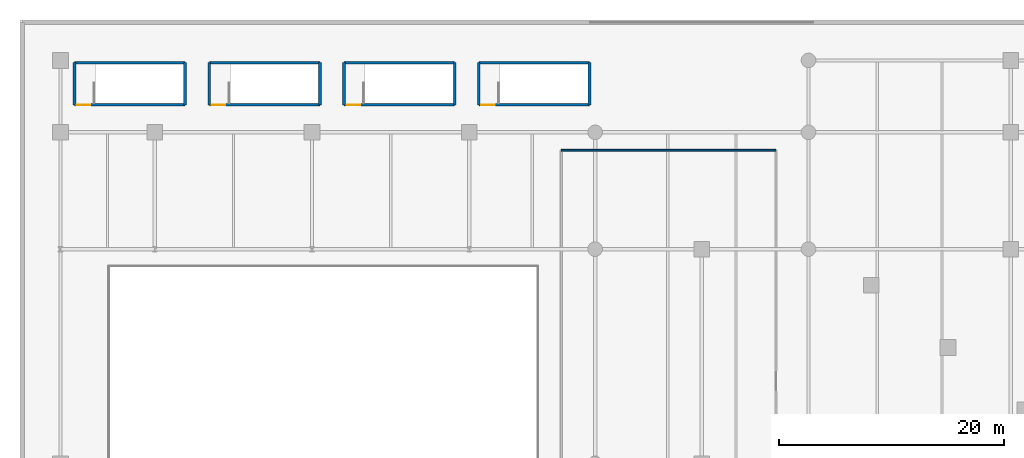
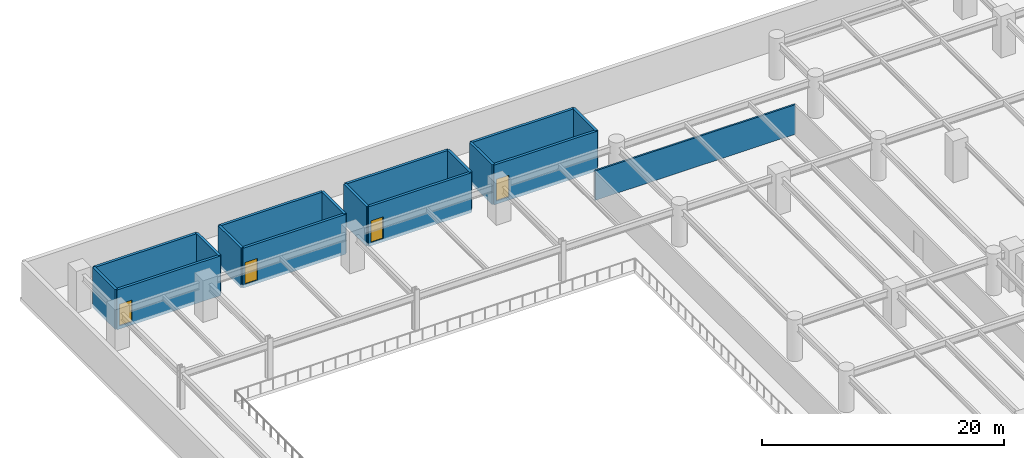
# One storey, part 13 of 20: 17 walls, 4 doors, 4 openings.
"""IFC4 building model written with IfcOpenShell, lengths in metres."""

import ifcopenshell
import ifcopenshell.guid

model = None  # the IFC model being written
_history = None  # IfcOwnerHistory: only IFC2X3 demands one
_inside = {}  # id of a spatial element -> (the spatial element, [elements in it])
_under = {}  # id of a project, library or spatial element -> (it, [spatial elements below it])
_declared = {}  # id of a project -> (the project, [libraries it declares])
_typed = {}  # id of a type object -> (the type object, [elements of that type])
_made_of = {}  # id of a material, layer set ... -> (it, [elements and type objects made of it])


def new_model(schema):
    """Start an empty IFC model of exactly this schema.

    Asked for "IFC4X3", IfcOpenShell would pick the latest addendum, in which some entities
    have other attributes; the version numbers below select the first issue.
    IFC2X3 requires an IfcOwnerHistory on every rooted entity: one is made here for all.
    """
    global model, _history
    if schema == "IFC4X3":
        model = ifcopenshell.file(schema_version=(4, 3, 0, 0))
    else:
        model = ifcopenshell.file(schema=schema)
    _inside.clear()
    _under.clear()
    _declared.clear()
    _typed.clear()
    _made_of.clear()
    _history = None
    if model.schema == "IFC2X3":
        org = make("IfcOrganization", Name="unknown")
        user = make(
            "IfcPersonAndOrganization",
            ThePerson=make("IfcPerson", FamilyName="unknown"),
            TheOrganization=org,
        )
        app = make(
            "IfcApplication",
            ApplicationDeveloper=org,
            Version="unknown",
            ApplicationFullName="unknown",
            ApplicationIdentifier="unknown",
        )
        _history = make(
            "IfcOwnerHistory",
            OwningUser=user,
            OwningApplication=app,
            ChangeAction="ADDED",
            CreationDate=0,
        )
    return model


def make(cls, **values):
    """One entity of the class cls with the attributes given. An attribute that is None is left unset."""
    return model.create_entity(
        cls, **{name: value for name, value in values.items() if value is not None}
    )


def rooted(cls, **values):
    """An entity with a GlobalId (a new one), such as an element, a storey or a relation."""
    return make(cls, GlobalId=ifcopenshell.guid.new(), OwnerHistory=_history, **values)


def si_unit(unit_type, name, prefix=None):
    """IfcSIUnit, for example si_unit("LENGTHUNIT", "METRE", prefix="MILLI")."""
    return make("IfcSIUnit", UnitType=unit_type, Prefix=prefix, Name=name)


def assignment(units):
    """IfcUnitAssignment: the units of a project."""
    return None if units is None else make("IfcUnitAssignment", Units=units)


def point(xyz):
    """IfcCartesianPoint."""
    return None if xyz is None else make("IfcCartesianPoint", Coordinates=xyz)


def direction(xyz):
    """IfcDirection."""
    return None if xyz is None else make("IfcDirection", DirectionRatios=xyz)


def frame(location, z_axis=None, x_axis=None):
    """IfcAxis2Placement3D, a coordinate frame: its origin and axes. An axis left out is left unset."""
    return make(
        "IfcAxis2Placement3D",
        Location=point(location),
        Axis=direction(z_axis),
        RefDirection=direction(x_axis),
    )


def frame_2d(location, x_axis=None):
    """IfcAxis2Placement2D, a coordinate frame in the plane: its origin and x axis."""
    return make(
        "IfcAxis2Placement2D", Location=point(location), RefDirection=direction(x_axis)
    )


def origin():
    """The frame at (0, 0, 0) with its axes left unset."""
    return frame((0.0, 0.0, 0.0))


def place(relative_to, where):
    """IfcLocalPlacement: puts the frame where relative to a parent placement (None: the world)."""
    return make(
        "IfcLocalPlacement", PlacementRelTo=relative_to, RelativePlacement=where
    )


def context(
    kind, dimensions, precision=None, world=None, true_north=None, identifier=None
):
    """IfcGeometricRepresentationContext, for example the 3D "Model" context."""
    return make(
        "IfcGeometricRepresentationContext",
        ContextIdentifier=identifier,
        ContextType=kind,
        CoordinateSpaceDimension=dimensions,
        Precision=precision,
        WorldCoordinateSystem=world,
        TrueNorth=true_north,
    )


def subcontext(parent, identifier, kind, view, scale=None):
    """IfcGeometricRepresentationSubContext, for example "Body" below "Model"."""
    return make(
        "IfcGeometricRepresentationSubContext",
        ContextIdentifier=identifier,
        ContextType=kind,
        ParentContext=parent,
        TargetScale=scale,
        TargetView=view,
    )


def project(units=None, contexts=None):
    """IfcProject with its units and contexts."""
    return rooted(
        "IfcProject",
        Name="project",
        RepresentationContexts=contexts,
        UnitsInContext=assignment(units),
    )


def spatial(cls, under=None, at=None, **own):
    """A site, building, storey or space (cls), placed at a placement, below another one or the project."""
    s = rooted(cls, ObjectPlacement=at, **own)
    if under is not None:
        _under.setdefault(under.id(), (under, []))[1].append(s)
    return s


def profile(cls, at=None, kind="AREA", **sizes):
    """A parametric profile (cls). Its sizes go by their IFC names, for example OverallWidth=200.0."""
    return make(cls, ProfileType=kind, Position=at, **sizes)


def rectangle(**sizes):
    """IfcRectangleProfileDef."""
    return profile("IfcRectangleProfileDef", **sizes)


def extrude(swept, where, along, depth):
    """IfcExtrudedAreaSolid: the profile swept, set in the frame where, extruded along a direction by depth."""
    return make(
        "IfcExtrudedAreaSolid",
        SweptArea=swept,
        Position=where,
        ExtrudedDirection=direction(along),
        Depth=depth,
    )


def shape(context_of_items, identifier, shape_type, items):
    """IfcShapeRepresentation: the items that make up one representation, for example the "Body"."""
    return make(
        "IfcShapeRepresentation",
        ContextOfItems=context_of_items,
        RepresentationIdentifier=identifier,
        RepresentationType=shape_type,
        Items=items,
    )


def material(Name=None, Category=None):
    """IfcMaterial."""
    return make("IfcMaterial", Name=Name, Category=Category)


def layer(
    of_material, thickness, ventilated=None, Name=None, Category=None, Priority=None
):
    """IfcMaterialLayer: one layer of a wall or slab, of a material (None: an air gap)."""
    return make(
        "IfcMaterialLayer",
        Material=of_material,
        LayerThickness=thickness,
        IsVentilated=ventilated,
        Name=Name,
        Category=Category,
        Priority=Priority,
    )


def layer_set(layers, Name=None):
    """IfcMaterialLayerSet."""
    return make("IfcMaterialLayerSet", MaterialLayers=layers, LayerSetName=Name)


def made_of(thing, what):
    """Note that an element or type object is made of a material, layer set ...; save() writes the relation."""
    if what is not None:
        _made_of.setdefault(what.id(), (what, []))[1].append(thing)
    return thing


def type_object(cls, material=None, **own):
    """A type object (cls), such as IfcWallType, which elements share."""
    return made_of(rooted(cls, **own), material)


def element(
    cls,
    number,
    at=None,
    inside=None,
    cuts=None,
    type_object=None,
    material=None,
    context=None,
    identifier="Body",
    shape_type=None,
    held_by="IfcProductDefinitionShape",
    body=None,
    shapes=None,
    **own,
):
    """One element of the class cls, such as IfcWall. Its Tag is "e" and its number.

    at: its placement. inside: the storey or other place that contains it. cuts: it is an
    opening in that element (IfcRelVoidsElement). A single representation is given by context,
    identifier, shape_type and body (its items); several are given by shapes. held_by: the class
    of the entity that holds the representations. save() writes the other relations.
    """
    e = rooted(cls, Tag="e%d" % number, ObjectPlacement=at, **own)
    if body is not None:
        shapes = [shape(context, identifier, shape_type, body)]
    if shapes is not None:
        e.Representation = make(held_by, Representations=shapes)
    if inside is not None:
        _inside.setdefault(inside.id(), (inside, []))[1].append(e)
    if cuts is not None:
        rooted(
            "IfcRelVoidsElement", RelatingBuildingElement=cuts, RelatedOpeningElement=e
        )
    if type_object is not None:
        _typed.setdefault(type_object.id(), (type_object, []))[1].append(e)
    return made_of(e, material)


def fill(opening, filler):
    """IfcRelFillsElement: the door or window that sits in an opening."""
    return rooted(
        "IfcRelFillsElement",
        RelatingOpeningElement=opening,
        RelatedBuildingElement=filler,
    )


def aggregate(whole, parts):
    """IfcRelAggregates: a whole, such as a stair, and the parts it consists of."""
    return rooted("IfcRelAggregates", RelatingObject=whole, RelatedObjects=parts)


def save(model, path):
    """Write the relations noted so far, then the file.

    IfcRelAggregates (storeys below a building ...), IfcRelContainedInSpatialStructure (elements
    in a storey), IfcRelDefinesByType, IfcRelAssociatesMaterial and IfcRelDeclares: one each for
    every whole, place, type object, material and project.
    """
    for whole, parts in _under.values():
        aggregate(whole, parts)
    for where, things in _inside.values():
        rooted(
            "IfcRelContainedInSpatialStructure",
            RelatedElements=things,
            RelatingStructure=where,
        )
    for kind, things in _typed.values():
        rooted("IfcRelDefinesByType", RelatedObjects=things, RelatingType=kind)
    for what, things in _made_of.values():
        rooted("IfcRelAssociatesMaterial", RelatedObjects=things, RelatingMaterial=what)
    for by, libraries in _declared.values():
        rooted("IfcRelDeclares", RelatingContext=by, RelatedDefinitions=libraries)
    model.write(path)


model = new_model("IFC4")

# Units and contexts
model_context = context("Model", 3, precision=1e-05, world=origin(), true_north=direction((0.0, 1.0)))
body_context = subcontext(model_context, "Body", "Model", "MODEL_VIEW")
ifc_project = project(units=[si_unit("LENGTHUNIT", "METRE"), si_unit("AREAUNIT", "SQUARE_METRE"), si_unit("VOLUMEUNIT", "CUBIC_METRE"), si_unit("PLANEANGLEUNIT", "RADIAN"), si_unit("MASSUNIT", "GRAM", prefix="KILO")], contexts=[model_context])

# Site, building, storey
site_placement = place(None, origin())
site = spatial("IfcSite", under=ifc_project, at=site_placement, CompositionType="ELEMENT")
building_placement = place(site_placement, origin())
building = spatial("IfcBuilding", under=site, at=building_placement, Name="Narakoshi Arena Tower", CompositionType="ELEMENT")
storey_placement = place(building_placement, frame((0.0, 0.0, 17.39990234375)))
storey = spatial("IfcBuildingStorey", under=building, at=storey_placement, Name="L04", CompositionType="ELEMENT", Elevation=17.39990234375)

# Walls
ifc_material_1 = material(Name="Gypsum plasterboard fire-rated partition")
ifc_layer_1 = layer(ifc_material_1, 0.1650390625)
ifc_layer_set_1 = layer_set([ifc_layer_1], Name="Gypsum plasterboard fire-rated partition")
wall_type_1 = type_object("IfcWallType", Name="WL-CORR-165", PredefinedType="PARTITIONING", material=ifc_layer_set_1)
wall_1_placement = place(storey_placement, frame((67.300048828125, 84.39990234375, 0.0), z_axis=(0.0, 0.0, 1.0), x_axis=(-1.0, 0.0, 0.0)))
element("IfcWall", 1, at=wall_1_placement, inside=storey, type_object=wall_type_1, Name="L04 Concourse Exhibition Conference Suite Wall N", PredefinedType="PARTITIONING", context=body_context, shape_type="SweptSolid", body=[
    extrude(rectangle(XDim=19.10009765625, YDim=0.1650390625, at=frame_2d((9.550048828125, 0.0))), origin(), (0.0, 0.0, 1.0), 2.985107421875),
])
ifc_material_2 = material(Name="Concrete C50/60", Category="concrete")
ifc_layer_2 = layer(ifc_material_2, 0.35009765625)
ifc_layer_set_2 = layer_set([ifc_layer_2], Name="Concrete C50/60")
wall_type_2 = type_object("IfcWallType", Name="WL-SHAFT-350", PredefinedType="SOLIDWALL", material=ifc_layer_set_2)
for number, where, z_axis, x_axis, name in (
    (2, (4.85009765625, 88.449951171875, -0.31982421875), (0.0, 0.0, 1.0), (0.0, 1.0, 0.0), "L04 AST5 Enclosure Wall W"),
    (3, (14.699951171875, 88.449951171875, -0.31982421875), (0.0, 0.0, 1.0), (0.0, 1.0, 0.0), "L04 AST5 Enclosure Wall E"),
):
    element("IfcWall", number, at=place(storey_placement, frame(where, z_axis=z_axis, x_axis=x_axis)), inside=storey, type_object=wall_type_2, Name=name, PredefinedType="SOLIDWALL", context=body_context, shape_type="SweptSolid", body=[
        extrude(rectangle(XDim=3.75, YDim=0.25, at=frame_2d((1.875, 0.0))), origin(), (0.0, 0.0, 1.0), 4.02001953125),
    ])
wall_2_placement = place(storey_placement, frame((4.85009765625, 92.199951171875, -0.31982421875), z_axis=(0.0, 0.0, 1.0), x_axis=(1.0, 0.0, 0.0)))
element("IfcWall", 4, at=wall_2_placement, inside=storey, type_object=wall_type_2, Name="L04 AST5 Enclosure Wall B", PredefinedType="SOLIDWALL", context=body_context, shape_type="SweptSolid", body=[
    extrude(rectangle(XDim=9.849853515625, YDim=0.25, at=frame_2d((4.9248046875, 0.0))), origin(), (0.0, 0.0, 1.0), 4.02001953125),
])

# Wall, opening, door
wall_3_placement = place(storey_placement, frame((4.85009765625, 88.449951171875, -0.31982421875), z_axis=(0.0, 0.0, 1.0), x_axis=(1.0, 0.0, 0.0)))
wall_3 = element("IfcWall", 5, at=wall_3_placement, inside=storey, type_object=wall_type_2, Name="L04 AST5 Landing Door Wall", PredefinedType="SOLIDWALL", context=body_context, shape_type="SweptSolid", body=[
    extrude(rectangle(XDim=9.849853515625, YDim=0.25, at=frame_2d((4.9248046875, 0.0))), origin(), (0.0, 0.0, 1.0), 4.02001953125),
])
opening_1_placement = place(wall_3_placement, frame((0.219970703125, 0.0, 0.320068359375)))
opening_1 = element("IfcOpeningElement", 6, at=opening_1_placement, cuts=wall_3, Name="Opening D-03", PredefinedType="OPENING", context=body_context, shape_type="SweptSolid", body=[
    extrude(rectangle(XDim=1.199951171875, YDim=2.199951171875, at=frame_2d((0.60009765625, 1.10009765625))), frame((0.0, 0.135009765625, 0.0), z_axis=(0.0, -1.0, 0.0), x_axis=(1.0, 0.0, 0.0)), (0.0, 0.0, 1.0), 0.27001953125),
])
ifc_material_3 = material(Name="Painted galvanized steel", Category="steel")
door_type = type_object("IfcDoorType", Name="DR-STR-1200", OperationType="NOTDEFINED", PredefinedType="USERDEFINED", material=ifc_material_3)
door_1_placement = place(opening_1_placement, origin())
door_1 = element("IfcDoor", 7, at=door_1_placement, inside=storey, type_object=door_type, Name="DR-L04-018", ObjectType="EXITDOOR", OperationType="SINGLE_SWING_LEFT", OverallHeight=2.199951171875, OverallWidth=1.199951171875, PredefinedType="USERDEFINED", context=body_context, shape_type="SweptSolid", body=[
    extrude(rectangle(XDim=1.199951171875, YDim=2.199951171875, at=frame_2d((0.60009765625, 1.10009765625))), frame((0.0, 0.02490234375, 0.0), z_axis=(0.0, -1.0, 0.0), x_axis=(1.0, 0.0, 0.0)), (0.0, 0.0, 1.0), 0.050048828125),
])
fill(opening_1, door_1)

# Walls
for number, where, z_axis, x_axis, name in (
    (8, (16.85009765625, 88.449951171875, -0.31982421875), (0.0, 0.0, 1.0), (0.0, 1.0, 0.0), "L04 AST6 Enclosure Wall W"),
    (9, (26.699951171875, 88.449951171875, -0.31982421875), (0.0, 0.0, 1.0), (0.0, 1.0, 0.0), "L04 AST6 Enclosure Wall E"),
):
    element("IfcWall", number, at=place(storey_placement, frame(where, z_axis=z_axis, x_axis=x_axis)), inside=storey, type_object=wall_type_2, Name=name, PredefinedType="SOLIDWALL", context=body_context, shape_type="SweptSolid", body=[
        extrude(rectangle(XDim=3.75, YDim=0.25, at=frame_2d((1.875, 0.0))), origin(), (0.0, 0.0, 1.0), 4.02001953125),
    ])
wall_4_placement = place(storey_placement, frame((16.85009765625, 92.199951171875, -0.31982421875), z_axis=(0.0, 0.0, 1.0), x_axis=(1.0, 0.0, 0.0)))
element("IfcWall", 10, at=wall_4_placement, inside=storey, type_object=wall_type_2, Name="L04 AST6 Enclosure Wall B", PredefinedType="SOLIDWALL", context=body_context, shape_type="SweptSolid", body=[
    extrude(rectangle(XDim=9.849853515625, YDim=0.25, at=frame_2d((4.9248046875, 0.0))), origin(), (0.0, 0.0, 1.0), 4.02001953125),
])

# Wall, opening, door
wall_5_placement = place(storey_placement, frame((16.85009765625, 88.449951171875, -0.31982421875), z_axis=(0.0, 0.0, 1.0), x_axis=(1.0, 0.0, 0.0)))
wall_5 = element("IfcWall", 11, at=wall_5_placement, inside=storey, type_object=wall_type_2, Name="L04 AST6 Landing Door Wall", PredefinedType="SOLIDWALL", context=body_context, shape_type="SweptSolid", body=[
    extrude(rectangle(XDim=9.849853515625, YDim=0.25, at=frame_2d((4.9248046875, 0.0))), origin(), (0.0, 0.0, 1.0), 4.02001953125),
])
opening_2_placement = place(wall_5_placement, frame((0.219970703125, 0.0, 0.320068359375)))
opening_2 = element("IfcOpeningElement", 12, at=opening_2_placement, cuts=wall_5, Name="Opening D-03", PredefinedType="OPENING", context=body_context, shape_type="SweptSolid", body=[
    extrude(rectangle(XDim=1.199951171875, YDim=2.199951171875, at=frame_2d((0.60009765625, 1.10009765625))), frame((0.0, 0.135009765625, 0.0), z_axis=(0.0, -1.0, 0.0), x_axis=(1.0, 0.0, 0.0)), (0.0, 0.0, 1.0), 0.27001953125),
])
door_2_placement = place(opening_2_placement, origin())
door_2 = element("IfcDoor", 13, at=door_2_placement, inside=storey, type_object=door_type, Name="DR-L04-019", ObjectType="EXITDOOR", OperationType="SINGLE_SWING_RIGHT", OverallHeight=2.199951171875, OverallWidth=1.199951171875, PredefinedType="USERDEFINED", context=body_context, shape_type="SweptSolid", body=[
    extrude(rectangle(XDim=1.199951171875, YDim=2.199951171875, at=frame_2d((0.60009765625, 1.10009765625))), frame((0.0, 0.02490234375, 0.0), z_axis=(0.0, -1.0, 0.0), x_axis=(1.0, 0.0, 0.0)), (0.0, 0.0, 1.0), 0.050048828125),
])
fill(opening_2, door_2)

# Walls
for number, where, z_axis, x_axis, name in (
    (14, (28.85009765625, 88.449951171875, -0.31982421875), (0.0, 0.0, 1.0), (0.0, 1.0, 0.0), "L04 AST7 Enclosure Wall W"),
    (15, (38.699951171875, 88.449951171875, -0.31982421875), (0.0, 0.0, 1.0), (0.0, 1.0, 0.0), "L04 AST7 Enclosure Wall E"),
):
    element("IfcWall", number, at=place(storey_placement, frame(where, z_axis=z_axis, x_axis=x_axis)), inside=storey, type_object=wall_type_2, Name=name, PredefinedType="SOLIDWALL", context=body_context, shape_type="SweptSolid", body=[
        extrude(rectangle(XDim=3.75, YDim=0.25, at=frame_2d((1.875, 0.0))), origin(), (0.0, 0.0, 1.0), 4.02001953125),
    ])
wall_6_placement = place(storey_placement, frame((28.85009765625, 92.199951171875, -0.31982421875), z_axis=(0.0, 0.0, 1.0), x_axis=(1.0, 0.0, 0.0)))
element("IfcWall", 16, at=wall_6_placement, inside=storey, type_object=wall_type_2, Name="L04 AST7 Enclosure Wall B", PredefinedType="SOLIDWALL", context=body_context, shape_type="SweptSolid", body=[
    extrude(rectangle(XDim=9.849853515625, YDim=0.25, at=frame_2d((4.9248046875, 0.0))), origin(), (0.0, 0.0, 1.0), 4.02001953125),
])

# Wall, opening, door
wall_7_placement = place(storey_placement, frame((28.85009765625, 88.449951171875, -0.31982421875), z_axis=(0.0, 0.0, 1.0), x_axis=(1.0, 0.0, 0.0)))
wall_7 = element("IfcWall", 17, at=wall_7_placement, inside=storey, type_object=wall_type_2, Name="L04 AST7 Landing Door Wall", PredefinedType="SOLIDWALL", context=body_context, shape_type="SweptSolid", body=[
    extrude(rectangle(XDim=9.849853515625, YDim=0.25, at=frame_2d((4.9248046875, 0.0))), origin(), (0.0, 0.0, 1.0), 4.02001953125),
])
opening_3_placement = place(wall_7_placement, frame((0.219970703125, 0.0, 0.320068359375)))
opening_3 = element("IfcOpeningElement", 18, at=opening_3_placement, cuts=wall_7, Name="Opening D-03", PredefinedType="OPENING", context=body_context, shape_type="SweptSolid", body=[
    extrude(rectangle(XDim=1.199951171875, YDim=2.199951171875, at=frame_2d((0.60009765625, 1.10009765625))), frame((0.0, 0.135009765625, 0.0), z_axis=(0.0, -1.0, 0.0), x_axis=(1.0, 0.0, 0.0)), (0.0, 0.0, 1.0), 0.27001953125),
])
door_3_placement = place(opening_3_placement, origin())
door_3 = element("IfcDoor", 19, at=door_3_placement, inside=storey, type_object=door_type, Name="DR-L04-020", ObjectType="EXITDOOR", OperationType="SINGLE_SWING_LEFT", OverallHeight=2.199951171875, OverallWidth=1.199951171875, PredefinedType="USERDEFINED", context=body_context, shape_type="SweptSolid", body=[
    extrude(rectangle(XDim=1.199951171875, YDim=2.199951171875, at=frame_2d((0.60009765625, 1.10009765625))), frame((0.0, 0.02490234375, 0.0), z_axis=(0.0, -1.0, 0.0), x_axis=(1.0, 0.0, 0.0)), (0.0, 0.0, 1.0), 0.050048828125),
])
fill(opening_3, door_3)

# Walls
for number, where, z_axis, x_axis, name in (
    (20, (40.85009765625, 88.449951171875, -0.31982421875), (0.0, 0.0, 1.0), (0.0, 1.0, 0.0), "L04 AST8 Enclosure Wall W"),
    (21, (50.699951171875, 88.449951171875, -0.31982421875), (0.0, 0.0, 1.0), (0.0, 1.0, 0.0), "L04 AST8 Enclosure Wall E"),
):
    element("IfcWall", number, at=place(storey_placement, frame(where, z_axis=z_axis, x_axis=x_axis)), inside=storey, type_object=wall_type_2, Name=name, PredefinedType="SOLIDWALL", context=body_context, shape_type="SweptSolid", body=[
        extrude(rectangle(XDim=3.75, YDim=0.25, at=frame_2d((1.875, 0.0))), origin(), (0.0, 0.0, 1.0), 4.02001953125),
    ])
wall_8_placement = place(storey_placement, frame((40.85009765625, 92.199951171875, -0.31982421875), z_axis=(0.0, 0.0, 1.0), x_axis=(1.0, 0.0, 0.0)))
element("IfcWall", 22, at=wall_8_placement, inside=storey, type_object=wall_type_2, Name="L04 AST8 Enclosure Wall B", PredefinedType="SOLIDWALL", context=body_context, shape_type="SweptSolid", body=[
    extrude(rectangle(XDim=9.849853515625, YDim=0.25, at=frame_2d((4.9248046875, 0.0))), origin(), (0.0, 0.0, 1.0), 4.02001953125),
])

# Wall, opening, door
wall_9_placement = place(storey_placement, frame((40.85009765625, 88.449951171875, -0.31982421875), z_axis=(0.0, 0.0, 1.0), x_axis=(1.0, 0.0, 0.0)))
wall_9 = element("IfcWall", 23, at=wall_9_placement, inside=storey, type_object=wall_type_2, Name="L04 AST8 Landing Door Wall", PredefinedType="SOLIDWALL", context=body_context, shape_type="SweptSolid", body=[
    extrude(rectangle(XDim=9.849853515625, YDim=0.25, at=frame_2d((4.9248046875, 0.0))), origin(), (0.0, 0.0, 1.0), 4.02001953125),
])
opening_4_placement = place(wall_9_placement, frame((0.219970703125, 0.0, 0.320068359375)))
opening_4 = element("IfcOpeningElement", 24, at=opening_4_placement, cuts=wall_9, Name="Opening D-03", PredefinedType="OPENING", context=body_context, shape_type="SweptSolid", body=[
    extrude(rectangle(XDim=1.199951171875, YDim=2.199951171875, at=frame_2d((0.60009765625, 1.10009765625))), frame((0.0, 0.135009765625, 0.0), z_axis=(0.0, -1.0, 0.0), x_axis=(1.0, 0.0, 0.0)), (0.0, 0.0, 1.0), 0.27001953125),
])
door_4_placement = place(opening_4_placement, origin())
door_4 = element("IfcDoor", 25, at=door_4_placement, inside=storey, type_object=door_type, Name="DR-L04-021", ObjectType="EXITDOOR", OperationType="SINGLE_SWING_RIGHT", OverallHeight=2.199951171875, OverallWidth=1.199951171875, PredefinedType="USERDEFINED", context=body_context, shape_type="SweptSolid", body=[
    extrude(rectangle(XDim=1.199951171875, YDim=2.199951171875, at=frame_2d((0.60009765625, 1.10009765625))), frame((0.0, 0.02490234375, 0.0), z_axis=(0.0, -1.0, 0.0), x_axis=(1.0, 0.0, 0.0)), (0.0, 0.0, 1.0), 0.050048828125),
])
fill(opening_4, door_4)

save(model, "model.ifc")
